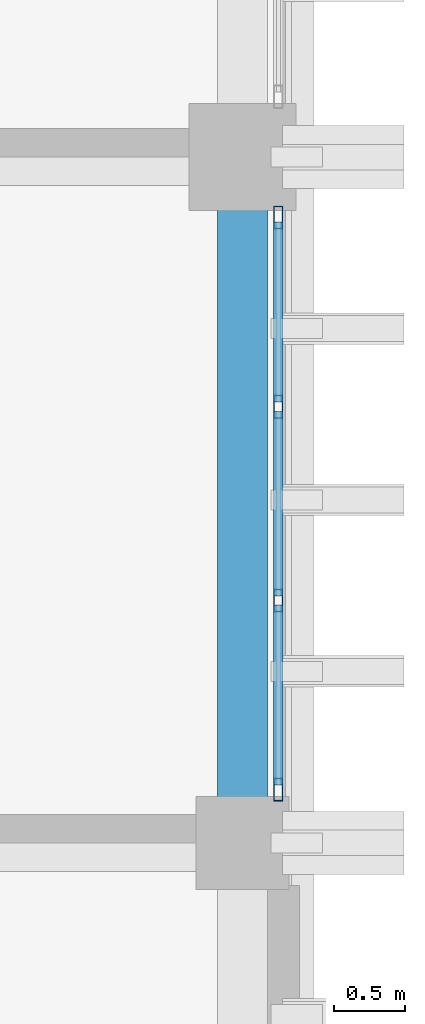
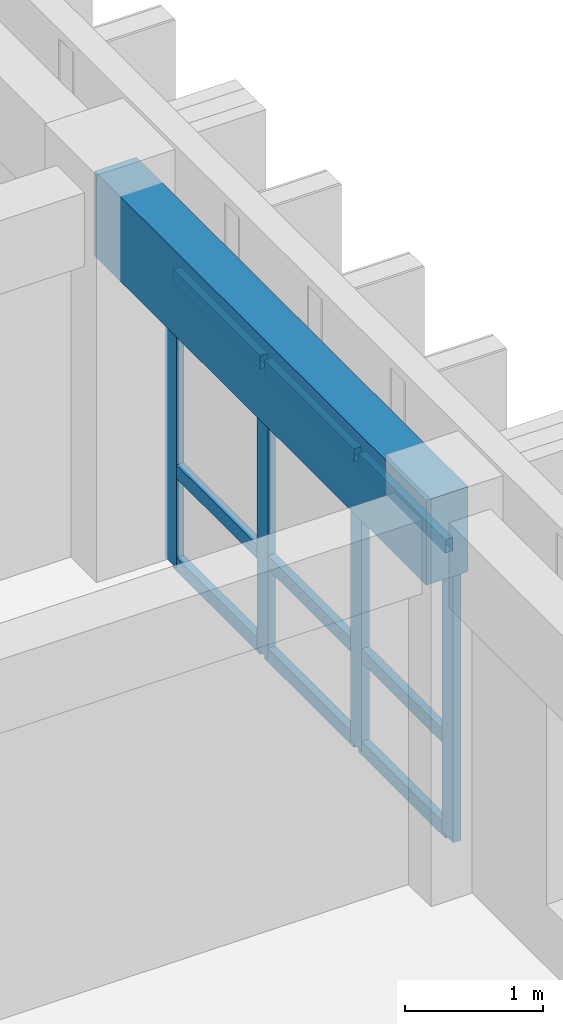
# One storey, part 14 of 64: 13 members, 1 beam, 1 element without a shape of its own.
"""IFC4 building model written with IfcOpenShell, lengths in metres."""

from ifc_helpers import new_model, si_unit, direction, frame, origin, origin_2d, place, context, subcontext, project, spatial, rectangle, hollow_rectangle, extrude, material, layer, layer_set, material_profile, profile_set, type_object, element, aggregate, save


model = new_model("IFC4")

# Units and contexts
model_context = context("Model", 3, precision=1e-05, world=origin(), true_north=direction((0.0, 1.0)))
body_context = subcontext(model_context, "Body", "Model", "MODEL_VIEW")
ifc_project = project(units=[si_unit("LENGTHUNIT", "METRE"), si_unit("AREAUNIT", "SQUARE_METRE"), si_unit("VOLUMEUNIT", "CUBIC_METRE"), si_unit("PLANEANGLEUNIT", "RADIAN"), si_unit("MASSUNIT", "GRAM", prefix="KILO")], contexts=[model_context])

# Site, building, storey
site_placement = place(None, origin())
site = spatial("IfcSite", under=ifc_project, at=site_placement, CompositionType="ELEMENT")
building_placement = place(site_placement, origin())
building = spatial("IfcBuilding", under=site, at=building_placement, Name="Nakhvara Creek Congress Hotel", CompositionType="ELEMENT")
storey_placement = place(building_placement, frame((0.0, 0.0, 28.199951171875)))
storey = spatial("IfcBuildingStorey", under=building, at=storey_placement, Name="L06", CompositionType="ELEMENT", Elevation=28.199951171875)

# Beam
ifc_material_1 = material(Name="Concrete C40/50", Category="concrete")
ifc_material_profile_1 = material_profile(ifc_material_1, rectangle(XDim=0.35009765625, YDim=0.75, at=origin_2d()), Name="RC-SPANDREL 350x750", Category="LoadBearing")
ifc_profile_set_1 = profile_set([ifc_material_profile_1], Name="Concrete C40/50")
beam_type = type_object("IfcBeamType", Name="BM-SPN-350X750", PredefinedType="SPANDREL", material=ifc_profile_set_1)
beam_placement = place(storey_placement, frame((179.35009765625, 52.800048828125, 2.965087890625), z_axis=(0.0, 1.0, 0.0), x_axis=(-1.0, 0.0, 0.0)))
element("IfcBeam", 1, at=beam_placement, inside=storey, type_object=beam_type, Name="Beam SP1-L06-2278", PredefinedType="SPANDREL", context=body_context, shape_type="SweptSolid", body=[
    extrude(rectangle(XDim=0.35009765625, YDim=0.75, at=origin_2d()), origin(), (0.0, 0.0, 1.0), 4.800048828125),
])

# Curtain wall, members
ifc_material_2 = material(Name="Bronze-anodised aluminium AW-6063-T6 and double-silver low-E glass", Category="aluminium")
ifc_layer = layer(ifc_material_2, 0.199951171875)
ifc_layer_set = layer_set([ifc_layer], Name="Bronze-anodised aluminium AW-6063-T6 and double-silver low-E glass")
curtain_wall_type = type_object("IfcCurtainWallType", Name="CW-HTL-UNIT", PredefinedType="USERDEFINED", material=ifc_layer_set)
curtain_wall_placement = place(storey_placement, origin())
curtain_wall = element("IfcCurtainWall", 2, at=curtain_wall_placement, inside=storey, type_object=curtain_wall_type, Name="Curtain Wall CW233", ObjectType="UNITISED", PredefinedType="USERDEFINED")
ifc_material_3 = material(Name="Bronze-anodised aluminium AW-6063-T6", Category="aluminium")
ifc_material_profile_2 = material_profile(ifc_material_3, hollow_rectangle(XDim=0.06494140625, YDim=0.159912109375, WallThickness=0.00390625, at=origin_2d()), Name="ALU-MULL 65x160x4", Category="LoadBearing")
ifc_profile_set_2 = profile_set([ifc_material_profile_2], Name="Bronze-anodised aluminium AW-6063-T6")
member_type_1 = type_object("IfcMemberType", Name="CW-MULL-160", PredefinedType="MULLION", material=ifc_profile_set_2)
member_1_placement = place(storey_placement, frame((179.60009765625, 57.177490234375, 0.0), z_axis=(0.0, 0.0, 1.0), x_axis=(1.0, 0.0, 0.0)))
member_1 = element("IfcMember", 3, at=member_1_placement, type_object=member_type_1, Name="CW233 mullion 1", PredefinedType="MULLION", context=body_context, shape_type="SweptSolid", body=[
    extrude(hollow_rectangle(XDim=0.06494140625, YDim=0.159912109375, WallThickness=0.00390625, at=origin_2d()), origin(), (0.0, 0.0, 1.0), 2.58203125),
])
member_2_placement = place(storey_placement, frame((179.60009765625, 55.853271484375, 0.0), z_axis=(0.0, 0.0, 1.0), x_axis=(1.0, 0.0, 0.0)))
member_2 = element("IfcMember", 4, at=member_2_placement, type_object=member_type_1, Name="CW233 mullion 2", PredefinedType="MULLION", context=body_context, shape_type="SweptSolid", body=[
    extrude(hollow_rectangle(XDim=0.06494140625, YDim=0.159912109375, WallThickness=0.00390625, at=origin_2d()), origin(), (0.0, 0.0, 1.0), 2.58203125),
])
member_3_placement = place(storey_placement, frame((179.60009765625, 54.49658203125, 0.0), z_axis=(0.0, 0.0, 1.0), x_axis=(1.0, 0.0, 0.0)))
member_3 = element("IfcMember", 5, at=member_3_placement, type_object=member_type_1, Name="CW233 mullion 3", PredefinedType="MULLION", context=body_context, shape_type="SweptSolid", body=[
    extrude(hollow_rectangle(XDim=0.06494140625, YDim=0.159912109375, WallThickness=0.00390625, at=origin_2d()), origin(), (0.0, 0.0, 1.0), 2.58203125),
])
member_4_placement = place(storey_placement, frame((179.60009765625, 53.172607421875, 0.0), z_axis=(0.0, 0.0, 1.0), x_axis=(1.0, 0.0, 0.0)))
member_4 = element("IfcMember", 6, at=member_4_placement, type_object=member_type_1, Name="CW233 mullion 4", PredefinedType="MULLION", context=body_context, shape_type="SweptSolid", body=[
    extrude(hollow_rectangle(XDim=0.06494140625, YDim=0.159912109375, WallThickness=0.00390625, at=origin_2d()), origin(), (0.0, 0.0, 1.0), 2.58203125),
])
ifc_material_profile_3 = material_profile(ifc_material_3, hollow_rectangle(XDim=0.06494140625, YDim=0.1201171875, WallThickness=0.00390625, at=origin_2d()), Name="ALU-TRAN 65x120x4", Category="LoadBearing")
ifc_profile_set_3 = profile_set([ifc_material_profile_3], Name="Bronze-anodised aluminium AW-6063-T6")
member_type_2 = type_object("IfcMemberType", Name="CW-TRAN-120", PredefinedType="USERDEFINED", material=ifc_profile_set_3)
member_5_placement = place(storey_placement, frame((179.60009765625, 57.14501953125, 0.032470703125), z_axis=(0.0, -1.0, 0.0), x_axis=(1.0, 0.0, 0.0)))
member_5 = element("IfcMember", 7, at=member_5_placement, type_object=member_type_2, Name="CW233 transom 1.1", ObjectType="TRANSOM", PredefinedType="USERDEFINED", context=body_context, shape_type="SweptSolid", body=[
    extrude(hollow_rectangle(XDim=0.06494140625, YDim=0.1201171875, WallThickness=0.00390625, at=origin_2d()), origin(), (0.0, 0.0, 1.0), 1.25927734375),
])
member_6_placement = place(storey_placement, frame((179.60009765625, 57.14501953125, 0.85009765625), z_axis=(0.0, -1.0, 0.0), x_axis=(1.0, 0.0, 0.0)))
member_6 = element("IfcMember", 8, at=member_6_placement, type_object=member_type_2, Name="CW233 transom 1.2", ObjectType="TRANSOM", PredefinedType="USERDEFINED", context=body_context, shape_type="SweptSolid", body=[
    extrude(hollow_rectangle(XDim=0.06494140625, YDim=0.1201171875, WallThickness=0.00390625, at=origin_2d()), origin(), (0.0, 0.0, 1.0), 1.25927734375),
])
member_7_placement = place(storey_placement, frame((179.60009765625, 57.14501953125, 2.549560546875), z_axis=(0.0, -1.0, 0.0), x_axis=(1.0, 0.0, 0.0)))
member_7 = element("IfcMember", 9, at=member_7_placement, type_object=member_type_2, Name="CW233 transom 1.3", ObjectType="TRANSOM", PredefinedType="USERDEFINED", context=body_context, shape_type="SweptSolid", body=[
    extrude(hollow_rectangle(XDim=0.06494140625, YDim=0.1201171875, WallThickness=0.00390625, at=origin_2d()), origin(), (0.0, 0.0, 1.0), 1.25927734375),
])
member_8_placement = place(storey_placement, frame((179.60009765625, 55.82080078125, 0.032470703125), z_axis=(0.0, -1.0, 0.0), x_axis=(1.0, 0.0, 0.0)))
member_8 = element("IfcMember", 10, at=member_8_placement, type_object=member_type_2, Name="CW233 transom 2.1", ObjectType="TRANSOM", PredefinedType="USERDEFINED", context=body_context, shape_type="SweptSolid", body=[
    extrude(hollow_rectangle(XDim=0.06494140625, YDim=0.1201171875, WallThickness=0.00390625, at=origin_2d()), origin(), (0.0, 0.0, 1.0), 1.291748046875),
])
member_9_placement = place(storey_placement, frame((179.60009765625, 55.82080078125, 0.85009765625), z_axis=(0.0, -1.0, 0.0), x_axis=(1.0, 0.0, 0.0)))
member_9 = element("IfcMember", 11, at=member_9_placement, type_object=member_type_2, Name="CW233 transom 2.2", ObjectType="TRANSOM", PredefinedType="USERDEFINED", context=body_context, shape_type="SweptSolid", body=[
    extrude(hollow_rectangle(XDim=0.06494140625, YDim=0.1201171875, WallThickness=0.00390625, at=origin_2d()), origin(), (0.0, 0.0, 1.0), 1.291748046875),
])
member_10_placement = place(storey_placement, frame((179.60009765625, 55.82080078125, 2.549560546875), z_axis=(0.0, -1.0, 0.0), x_axis=(1.0, 0.0, 0.0)))
member_10 = element("IfcMember", 12, at=member_10_placement, type_object=member_type_2, Name="CW233 transom 2.3", ObjectType="TRANSOM", PredefinedType="USERDEFINED", context=body_context, shape_type="SweptSolid", body=[
    extrude(hollow_rectangle(XDim=0.06494140625, YDim=0.1201171875, WallThickness=0.00390625, at=origin_2d()), origin(), (0.0, 0.0, 1.0), 1.291748046875),
])
member_11_placement = place(storey_placement, frame((179.60009765625, 54.464111328125, 0.032470703125), z_axis=(0.0, -1.0, 0.0), x_axis=(1.0, 0.0, 0.0)))
member_11 = element("IfcMember", 13, at=member_11_placement, type_object=member_type_2, Name="CW233 transom 3.1", ObjectType="TRANSOM", PredefinedType="USERDEFINED", context=body_context, shape_type="SweptSolid", body=[
    extrude(hollow_rectangle(XDim=0.06494140625, YDim=0.1201171875, WallThickness=0.00390625, at=origin_2d()), origin(), (0.0, 0.0, 1.0), 1.259033203125),
])
member_12_placement = place(storey_placement, frame((179.60009765625, 54.464111328125, 0.85009765625), z_axis=(0.0, -1.0, 0.0), x_axis=(1.0, 0.0, 0.0)))
member_12 = element("IfcMember", 14, at=member_12_placement, type_object=member_type_2, Name="CW233 transom 3.2", ObjectType="TRANSOM", PredefinedType="USERDEFINED", context=body_context, shape_type="SweptSolid", body=[
    extrude(hollow_rectangle(XDim=0.06494140625, YDim=0.1201171875, WallThickness=0.00390625, at=origin_2d()), origin(), (0.0, 0.0, 1.0), 1.259033203125),
])
member_13_placement = place(storey_placement, frame((179.60009765625, 54.464111328125, 2.549560546875), z_axis=(0.0, -1.0, 0.0), x_axis=(1.0, 0.0, 0.0)))
member_13 = element("IfcMember", 15, at=member_13_placement, type_object=member_type_2, Name="CW233 transom 3.3", ObjectType="TRANSOM", PredefinedType="USERDEFINED", context=body_context, shape_type="SweptSolid", body=[
    extrude(hollow_rectangle(XDim=0.06494140625, YDim=0.1201171875, WallThickness=0.00390625, at=origin_2d()), origin(), (0.0, 0.0, 1.0), 1.259033203125),
])
aggregate(curtain_wall, [member_1, member_2, member_3, member_4, member_5, member_6, member_7, member_8, member_9, member_10, member_11, member_12, member_13])

save(model, "model.ifc")
